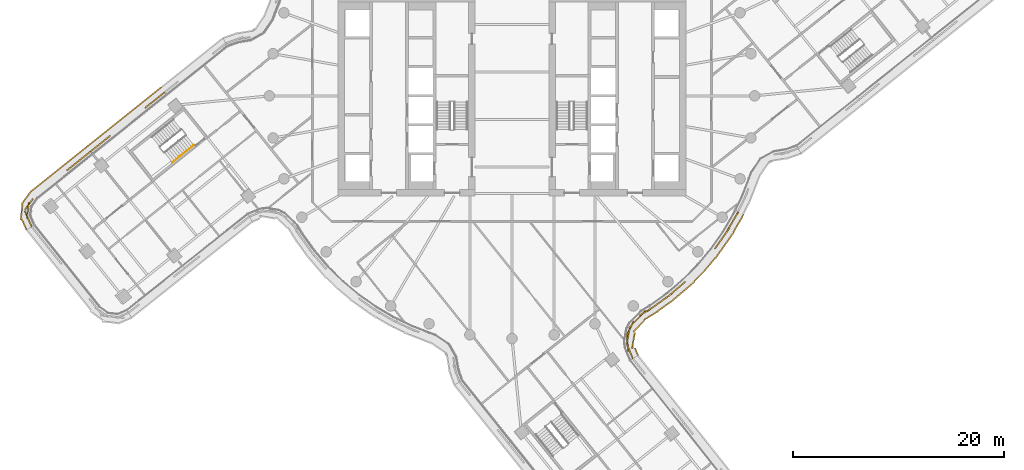
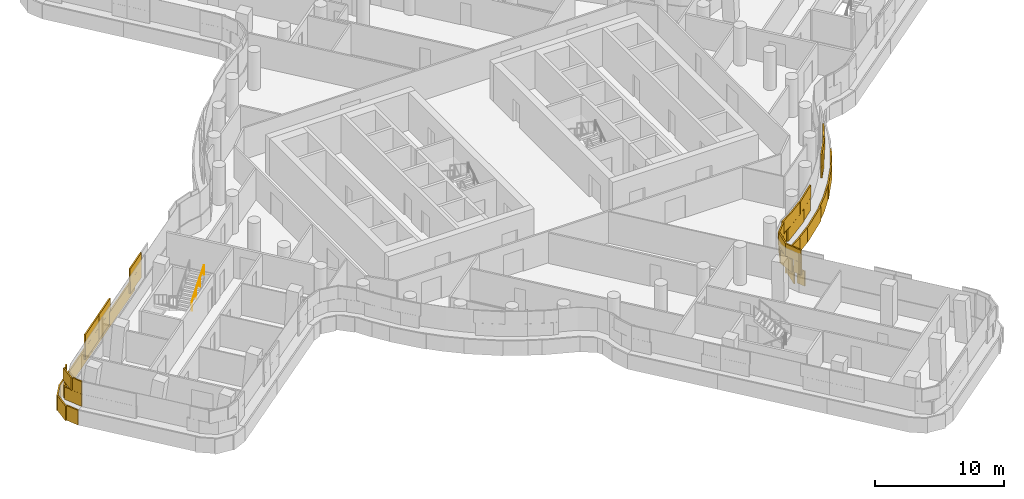
# One storey, part 27 of 31: 3 coverings, 1 railing.
"""IFC4 building model written with IfcOpenShell, lengths in metres."""

from ifc_helpers import new_model, si_unit, direction, frame, origin, origin_2d, place, context, subcontext, project, spatial, rectangle, circle, extrude, material, layer, layer_set, type_object, element, save


model = new_model("IFC4")

# Units and contexts
model_context = context("Model", 3, precision=1e-05, world=origin(), true_north=direction((0.0, 1.0)))
body_context = subcontext(model_context, "Body", "Model", "MODEL_VIEW")
ifc_project = project(units=[si_unit("LENGTHUNIT", "METRE"), si_unit("AREAUNIT", "SQUARE_METRE"), si_unit("VOLUMEUNIT", "CUBIC_METRE"), si_unit("PLANEANGLEUNIT", "RADIAN"), si_unit("MASSUNIT", "GRAM", prefix="KILO")], contexts=[model_context])

# Site, building, storey
site_placement = place(None, origin())
site = spatial("IfcSite", under=ifc_project, at=site_placement, CompositionType="ELEMENT")
building_placement = place(site_placement, origin())
building = spatial("IfcBuilding", under=site, at=building_placement, Name="Tamarind Cross Interchange Tower", CompositionType="ELEMENT")
storey_placement = place(building_placement, frame((0.0, 0.0, 174.25)))
storey = spatial("IfcBuildingStorey", under=building, at=storey_placement, Name="L43", CompositionType="ELEMENT", Elevation=174.25)

# Railing
ifc_material_1 = material(Name="Stair handrail")
railing_type = type_object("IfcRailingType", Name="Stair handrail", PredefinedType="HANDRAIL", material=ifc_material_1)
railing_placement = place(storey_placement, frame((-32.198486328125, -6.30126953125, 2.04541015625)))
element("IfcRailing", 1, at=railing_placement, inside=storey, type_object=railing_type, Name="L43 ST5 stair handrail 2", PredefinedType="HANDRAIL", context=body_context, shape_type="SweptSolid", body=[
    extrude(circle(Radius=0.02392578125, at=origin_2d()), frame((0.0, 0.0, 0.8759765625), z_axis=(0.65307602311, 0.522413704671, 0.548247780853), x_axis=(-0.624660696371, 0.780896289151, 0.0)), (0.0, 0.0, 1.0), 3.109130859375),
    extrude(circle(Radius=0.02099609375, at=origin_2d()), origin(), (0.0, 0.0, 1.0), 0.851806640625),
    extrude(circle(Radius=0.02099609375, at=origin_2d()), frame((0.6767578125, 0.54150390625, 0.568115234375)), (0.0, 0.0, 1.0), 0.851806640625),
    extrude(circle(Radius=0.02099609375, at=origin_2d()), frame((1.353759765625, 1.082763671875, 1.136474609375)), (0.0, 0.0, 1.0), 0.851806640625),
    extrude(circle(Radius=0.02099609375, at=origin_2d()), frame((2.030517578125, 1.624267578125, 1.70458984375)), (0.0, 0.0, 1.0), 0.851806640625),
])

# Coverings
ifc_material_2 = material(Name="Terracotta", Category="masonry")
ifc_layer = layer(ifc_material_2, 0.1201171875)
ifc_layer_set = layer_set([ifc_layer], Name="Terracotta")
covering_type = type_object("IfcCoveringType", Name="Terracotta baguette screen unit", PredefinedType="MOLDING", material=ifc_layer_set)
covering_1_placement = place(storey_placement, origin())
element("IfcCovering", 2, at=covering_1_placement, inside=storey, type_object=covering_type, Name="SCR-L43-06-00", PredefinedType="MOLDING", context=body_context, shape_type="SweptSolid", body=[
    extrude(rectangle(XDim=0.760009765625, YDim=0.1201171875, at=origin_2d()), frame((11.306640625, -24.551513671875, 1.404052734375), z_axis=(0.0, 0.0, 1.0), x_axis=(-0.380202807979, 0.924903143472, 0.0)), (0.0, 0.0, 1.0), 1.1669921875),
    extrude(rectangle(XDim=1.52001953125, YDim=0.1201171875, at=origin_2d()), frame((10.953125, -23.4921875, 1.404052734375), z_axis=(0.0, 0.0, 1.0), x_axis=(-0.105134074673, 0.994458056603, 0.0)), (0.0, 0.0, 1.0), 1.1669921875),
    extrude(rectangle(XDim=1.52001953125, YDim=0.1201171875, at=origin_2d()), frame((11.19140625, -22.028076171875, 1.404052734375), z_axis=(0.0, 0.0, 1.0), x_axis=(0.447568959097, 0.894249420941, 0.0)), (0.0, 0.0, 1.0), 1.1669921875),
    extrude(rectangle(XDim=1.52001953125, YDim=0.1201171875, at=origin_2d()), frame((12.14892578125, -20.890625, 1.404052734375), z_axis=(0.0, 0.0, 1.0), x_axis=(0.699579033166, 0.714555229744, 0.0)), (0.0, 0.0, 1.0), 1.1669921875),
    extrude(rectangle(XDim=1.52001953125, YDim=0.1201171875, at=origin_2d()), frame((13.3671875, -20.0302734375, 1.404052734375), z_axis=(0.0, 0.0, 1.0), x_axis=(0.811340475102, 0.584573890505, 0.0)), (0.0, 0.0, 1.0), 1.1669921875),
    extrude(rectangle(XDim=1.52001953125, YDim=0.1201171875, at=origin_2d()), frame((14.584228515625, -19.1533203125, 1.404052734375), z_axis=(0.0, 0.0, 1.0), x_axis=(0.811340475102, 0.584573890505, 0.0)), (0.0, 0.0, 1.0), 1.1669921875),
    extrude(rectangle(XDim=1.52001953125, YDim=0.1201171875, at=origin_2d()), frame((15.742919921875, -18.202392578125, 1.404052734375), z_axis=(0.0, 0.0, 1.0), x_axis=(0.760295606781, 0.64957723968, 0.0)), (0.0, 0.0, 1.0), 1.1669921875),
    extrude(rectangle(XDim=1.52001953125, YDim=0.1201171875, at=origin_2d()), frame((19.745849609375, -13.758056640625, 1.404052734375), z_axis=(0.0, 0.0, 1.0), x_axis=(0.577568978284, 0.816341886298, 0.0)), (0.0, 0.0, 1.0), 1.1669921875),
    extrude(rectangle(XDim=1.52001953125, YDim=0.1201171875, at=origin_2d()), frame((20.565185546875, -12.5029296875, 1.404052734375), z_axis=(0.0, 0.0, 1.0), x_axis=(0.508183308752, 0.861248933065, 0.0)), (0.0, 0.0, 1.0), 1.1669921875),
    extrude(rectangle(XDim=1.003173828125, YDim=0.1201171875, at=origin_2d()), frame((21.198486328125, -11.429443359375, 1.404052734375), z_axis=(0.0, 0.0, 1.0), x_axis=(0.508183308752, 0.861248933065, 0.0)), (0.0, 0.0, 1.0), 1.1669921875),
    extrude(rectangle(XDim=1.510009765625, YDim=0.1201171875, at=origin_2d()), frame((11.1640625, -24.204833984375, 2.5791015625), z_axis=(0.0, 0.0, 1.0), x_axis=(-0.380202807979, 0.924903143472, 0.0)), (0.0, 0.0, 1.0), 1.1669921875),
    extrude(rectangle(XDim=1.52001953125, YDim=0.1201171875, at=origin_2d()), frame((11.0146484375, -22.751708984375, 2.5791015625), z_axis=(0.0, 0.0, 1.0), x_axis=(0.178398024605, 0.98395840604, 0.0)), (0.0, 0.0, 1.0), 1.1669921875),
    extrude(rectangle(XDim=1.52001953125, YDim=0.1201171875, at=origin_2d()), frame((11.624267578125, -21.4267578125, 2.5791015625), z_axis=(0.0, 0.0, 1.0), x_axis=(0.699579033166, 0.714555229744, 0.0)), (0.0, 0.0, 1.0), 1.1669921875),
    extrude(rectangle(XDim=1.52001953125, YDim=0.1201171875, at=origin_2d()), frame((12.73193359375, -20.42822265625, 2.5791015625), z_axis=(0.0, 0.0, 1.0), x_axis=(0.854662661757, 0.519183719505, 0.0)), (0.0, 0.0, 1.0), 1.1669921875),
    extrude(rectangle(XDim=1.52001953125, YDim=0.1201171875, at=origin_2d()), frame((13.9755859375, -19.591796875, 2.5791015625), z_axis=(0.0, 0.0, 1.0), x_axis=(0.811340475102, 0.584573890505, 0.0)), (0.0, 0.0, 1.0), 1.1669921875),
    extrude(rectangle(XDim=1.52001953125, YDim=0.1201171875, at=origin_2d()), frame((15.1728515625, -18.689453125, 2.5791015625), z_axis=(0.0, 0.0, 1.0), x_axis=(0.760295606781, 0.64957723968, 0.0)), (0.0, 0.0, 1.0), 1.1669921875),
    extrude(rectangle(XDim=0.902587890625, YDim=0.1201171875, at=origin_2d()), frame((16.082275390625, -17.912353515625, 2.5791015625), z_axis=(0.0, 0.0, 1.0), x_axis=(0.760295606781, 0.64957723968, 0.0)), (0.0, 0.0, 1.0), 1.1669921875),
    extrude(rectangle(XDim=0.917236328125, YDim=0.1201171875, at=origin_2d()), frame((19.483642578125, -14.128173828125, 2.5791015625), z_axis=(0.0, 0.0, 1.0), x_axis=(0.577568978284, 0.816341886298, 0.0)), (0.0, 0.0, 1.0), 1.1669921875),
    extrude(rectangle(XDim=1.52001953125, YDim=0.1201171875, at=origin_2d()), frame((20.178955078125, -13.145751953125, 2.5791015625), z_axis=(0.0, 0.0, 1.0), x_axis=(0.577568978284, 0.816341886298, 0.0)), (0.0, 0.0, 1.0), 1.1669921875),
    extrude(rectangle(XDim=1.52001953125, YDim=0.1201171875, at=origin_2d()), frame((20.9462890625, -11.85693359375, 2.5791015625), z_axis=(0.0, 0.0, 1.0), x_axis=(0.508183308752, 0.861248933065, 0.0)), (0.0, 0.0, 1.0), 1.1669921875),
    extrude(rectangle(XDim=0.253173828125, YDim=0.1201171875, at=origin_2d()), frame((21.36669921875, -11.094482421875, 2.5791015625), z_axis=(0.0, 0.0, 1.0), x_axis=(0.435326231914, 0.900272776334, 0.0)), (0.0, 0.0, 1.0), 1.1669921875),
    extrude(rectangle(XDim=0.760009765625, YDim=0.1201171875, at=origin_2d()), frame((11.8046875, -24.25341796875, 0.00390625), z_axis=(0.0, 0.0, 1.0), x_axis=(-0.380202807979, 0.924903143472, 0.0)), (0.0, 0.0, 1.0), 1.39208984375),
    extrude(rectangle(XDim=1.52001953125, YDim=0.1201171875, at=origin_2d()), frame((11.518798828125, -23.18798828125, 0.00390625), z_axis=(0.0, 0.0, 1.0), x_axis=(0.178398024605, 0.98395840604, 0.0)), (0.0, 0.0, 1.0), 1.39208984375),
    extrude(rectangle(XDim=1.52001953125, YDim=0.1201171875, at=origin_2d()), frame((12.037841796875, -21.82470703125, 0.00390625), z_axis=(0.0, 0.0, 1.0), x_axis=(0.699579033166, 0.714555229744, 0.0)), (0.0, 0.0, 1.0), 1.39208984375),
    extrude(rectangle(XDim=1.52001953125, YDim=0.1201171875, at=origin_2d()), frame((13.157470703125, -20.84130859375, 0.00390625), z_axis=(0.0, 0.0, 1.0), x_axis=(0.854662661757, 0.519183719505, 0.0)), (0.0, 0.0, 1.0), 1.39208984375),
    extrude(rectangle(XDim=1.52001953125, YDim=0.1201171875, at=origin_2d()), frame((14.395751953125, -19.99658203125, 0.00390625), z_axis=(0.0, 0.0, 1.0), x_axis=(0.811340475102, 0.584573890505, 0.0)), (0.0, 0.0, 1.0), 1.39208984375),
    extrude(rectangle(XDim=1.52001953125, YDim=0.1201171875, at=origin_2d()), frame((15.588623046875, -19.089111328125, 0.00390625), z_axis=(0.0, 0.0, 1.0), x_axis=(0.760295606781, 0.64957723968, 0.0)), (0.0, 0.0, 1.0), 1.39208984375),
    extrude(rectangle(XDim=1.52001953125, YDim=0.1201171875, at=origin_2d()), frame((16.72900390625, -18.11474609375, 0.00390625), z_axis=(0.0, 0.0, 1.0), x_axis=(0.760295606781, 0.64957723968, 0.0)), (0.0, 0.0, 1.0), 1.39208984375),
    extrude(rectangle(XDim=1.52001953125, YDim=0.1201171875, at=origin_2d()), frame((17.7890625, -17.0537109375, 0.00390625), z_axis=(0.0, 0.0, 1.0), x_axis=(0.704057148523, 0.710143317658, 0.0)), (0.0, 0.0, 1.0), 1.39208984375),
    extrude(rectangle(XDim=1.52001953125, YDim=0.1201171875, at=origin_2d()), frame((18.79052734375, -15.9384765625, 0.00390625), z_axis=(0.0, 0.0, 1.0), x_axis=(0.643009266048, 0.765858396687, 0.0)), (0.0, 0.0, 1.0), 1.39208984375),
    extrude(rectangle(XDim=1.52001953125, YDim=0.1201171875, at=origin_2d()), frame((19.731689453125, -14.771728515625, 0.00390625), z_axis=(0.0, 0.0, 1.0), x_axis=(0.577568978284, 0.816341886298, 0.0)), (0.0, 0.0, 1.0), 1.39208984375),
    extrude(rectangle(XDim=1.52001953125, YDim=0.1201171875, at=origin_2d()), frame((20.597900390625, -13.54736328125, 0.00390625), z_axis=(0.0, 0.0, 1.0), x_axis=(0.577568978284, 0.816341886298, 0.0)), (0.0, 0.0, 1.0), 1.39208984375),
    extrude(rectangle(XDim=1.52001953125, YDim=0.1201171875, at=origin_2d()), frame((21.372802734375, -12.263671875, 0.00390625), z_axis=(0.0, 0.0, 1.0), x_axis=(0.508183308752, 0.861248933065, 0.0)), (0.0, 0.0, 1.0), 1.39208984375),
    extrude(rectangle(XDim=0.420166015625, YDim=0.1201171875, at=origin_2d()), frame((21.8388671875, -11.436279296875, 0.00390625), z_axis=(0.0, 0.0, 1.0), x_axis=(0.435326231914, 0.900272776334, 0.0)), (0.0, 0.0, 1.0), 1.39208984375),
])
covering_2_placement = place(storey_placement, origin())
element("IfcCovering", 3, at=covering_2_placement, inside=storey, type_object=covering_type, Name="SCR-L43-15-01", PredefinedType="MOLDING", context=body_context, shape_type="SweptSolid", body=[
    extrude(rectangle(XDim=0.859130859375, YDim=0.1201171875, at=origin_2d()), frame((-33.23681640625, 0.090576171875, 1.404052734375), z_axis=(0.0, 0.0, 1.0), x_axis=(-0.780892885425, -0.624664951388, 0.0)), (0.0, 0.0, 1.0), 1.1669921875),
    extrude(rectangle(XDim=1.52001953125, YDim=0.1201171875, at=origin_2d()), frame((-34.154052734375, -0.64306640625, 1.404052734375), z_axis=(0.0, 0.0, 1.0), x_axis=(-0.780892885425, -0.624664951388, 0.0)), (0.0, 0.0, 1.0), 1.1669921875),
    extrude(rectangle(XDim=1.52001953125, YDim=0.1201171875, at=origin_2d()), frame((-38.83935546875, -4.39111328125, 1.404052734375), z_axis=(0.0, 0.0, 1.0), x_axis=(-0.780892885425, -0.624664951388, 0.0)), (0.0, 0.0, 1.0), 1.1669921875),
    extrude(rectangle(XDim=0.67138671875, YDim=0.1201171875, at=origin_2d()), frame((-39.683349609375, -5.066162109375, 1.404052734375), z_axis=(0.0, 0.0, 1.0), x_axis=(-0.780892885425, -0.624664951388, 0.0)), (0.0, 0.0, 1.0), 1.1669921875),
    extrude(rectangle(XDim=0.109130859375, YDim=0.1201171875, at=origin_2d()), frame((-32.94384765625, 0.324951171875, 2.5791015625), z_axis=(0.0, 0.0, 1.0), x_axis=(-0.780892885425, -0.624664951388, 0.0)), (0.0, 0.0, 1.0), 1.1669921875),
    extrude(rectangle(XDim=1.52001953125, YDim=0.1201171875, at=origin_2d()), frame((-33.568359375, -0.174560546875, 2.5791015625), z_axis=(0.0, 0.0, 1.0), x_axis=(-0.780892885425, -0.624664951388, 0.0)), (0.0, 0.0, 1.0), 1.1669921875),
    extrude(rectangle(XDim=0.81591796875, YDim=0.1201171875, at=origin_2d()), frame((-34.46875, -0.894775390625, 2.5791015625), z_axis=(0.0, 0.0, 1.0), x_axis=(-0.780892885425, -0.624664951388, 0.0)), (0.0, 0.0, 1.0), 1.1669921875),
    extrude(rectangle(XDim=1.00390625, YDim=0.1201171875, at=origin_2d()), frame((-38.451416015625, -4.08056640625, 2.5791015625), z_axis=(0.0, 0.0, 1.0), x_axis=(-0.780892885425, -0.624664951388, 0.0)), (0.0, 0.0, 1.0), 1.1669921875),
    extrude(rectangle(XDim=1.42138671875, YDim=0.1201171875, at=origin_2d()), frame((-39.390380859375, -4.831787109375, 2.5791015625), z_axis=(0.0, 0.0, 1.0), x_axis=(-0.780892885425, -0.624664951388, 0.0)), (0.0, 0.0, 1.0), 1.1669921875),
    extrude(rectangle(XDim=0.80419921875, YDim=0.1201171875, at=origin_2d()), frame((-33.545166015625, 0.5791015625, 0.00390625), z_axis=(0.0, 0.0, 1.0), x_axis=(-0.780892885425, -0.624664951388, 0.0)), (0.0, 0.0, 1.0), 1.39208984375),
    extrude(rectangle(XDim=1.52001953125, YDim=0.1201171875, at=origin_2d()), frame((-34.436767578125, -0.13427734375, 0.00390625), z_axis=(0.0, 0.0, 1.0), x_axis=(-0.780892885425, -0.624664951388, 0.0)), (0.0, 0.0, 1.0), 1.39208984375),
    extrude(rectangle(XDim=1.52001953125, YDim=0.1201171875, at=origin_2d()), frame((-35.608154296875, -1.0712890625, 0.00390625), z_axis=(0.0, 0.0, 1.0), x_axis=(-0.780892885425, -0.624664951388, 0.0)), (0.0, 0.0, 1.0), 1.39208984375),
    extrude(rectangle(XDim=1.52001953125, YDim=0.1201171875, at=origin_2d()), frame((-36.779541015625, -2.00830078125, 0.00390625), z_axis=(0.0, 0.0, 1.0), x_axis=(-0.780892885425, -0.624664951388, 0.0)), (0.0, 0.0, 1.0), 1.39208984375),
    extrude(rectangle(XDim=1.52001953125, YDim=0.1201171875, at=origin_2d()), frame((-37.950927734375, -2.9453125, 0.00390625), z_axis=(0.0, 0.0, 1.0), x_axis=(-0.780892885425, -0.624664951388, 0.0)), (0.0, 0.0, 1.0), 1.39208984375),
    extrude(rectangle(XDim=1.52001953125, YDim=0.1201171875, at=origin_2d()), frame((-39.122314453125, -3.88232421875, 0.00390625), z_axis=(0.0, 0.0, 1.0), x_axis=(-0.780892885425, -0.624664951388, 0.0)), (0.0, 0.0, 1.0), 1.39208984375),
    extrude(rectangle(XDim=0.79345703125, YDim=0.1201171875, at=origin_2d()), frame((-40.010009765625, -4.592529296875, 0.00390625), z_axis=(0.0, 0.0, 1.0), x_axis=(-0.780892885425, -0.624664951388, 0.0)), (0.0, 0.0, 1.0), 1.39208984375),
])
covering_3_placement = place(storey_placement, origin())
element("IfcCovering", 4, at=covering_3_placement, inside=storey, type_object=covering_type, Name="SCR-L43-15-02", PredefinedType="MOLDING", context=body_context, shape_type="SweptSolid", body=[
    extrude(rectangle(XDim=0.8486328125, YDim=0.1201171875, at=origin_2d()), frame((-40.26904296875, -5.53466796875, 1.404052734375), z_axis=(0.0, 0.0, 1.0), x_axis=(-0.780892885425, -0.624664951388, 0.0)), (0.0, 0.0, 1.0), 1.1669921875),
    extrude(rectangle(XDim=1.52001953125, YDim=0.1201171875, at=origin_2d()), frame((-41.18212890625, -6.26513671875, 1.404052734375), z_axis=(0.0, 0.0, 1.0), x_axis=(-0.780892885425, -0.624664951388, 0.0)), (0.0, 0.0, 1.0), 1.1669921875),
    extrude(rectangle(XDim=0.554931640625, YDim=0.1201171875, at=origin_2d()), frame((-41.98046875, -6.90380859375, 1.404052734375), z_axis=(0.0, 0.0, 1.0), x_axis=(-0.780892885425, -0.624664951388, 0.0)), (0.0, 0.0, 1.0), 1.1669921875),
    extrude(rectangle(XDim=1.26513671875, YDim=0.1201171875, at=origin_2d()), frame((-45.7802734375, -10.264892578125, 1.404052734375), z_axis=(0.0, 0.0, 1.0), x_axis=(-0.59260941937, -0.805489960256, 0.0)), (0.0, 0.0, 1.0), 1.1669921875),
    extrude(rectangle(XDim=1.52001953125, YDim=0.1201171875, at=origin_2d()), frame((-45.882568359375, -11.60009765625, 1.404052734375), z_axis=(0.0, 0.0, 1.0), x_axis=(0.40127005839, -0.915959791825, 0.0)), (0.0, 0.0, 1.0), 1.1669921875),
    extrude(rectangle(XDim=0.138427734375, YDim=0.1201171875, at=origin_2d()), frame((-45.555908203125, -12.345703125, 1.404052734375), z_axis=(0.0, 0.0, 1.0), x_axis=(0.40127005839, -0.915959791825, 0.0)), (0.0, 0.0, 1.0), 1.1669921875),
    extrude(rectangle(XDim=0.0986328125, YDim=0.1201171875, at=origin_2d()), frame((-39.97607421875, -5.30029296875, 2.5791015625), z_axis=(0.0, 0.0, 1.0), x_axis=(-0.780892885425, -0.624664951388, 0.0)), (0.0, 0.0, 1.0), 1.1669921875),
    extrude(rectangle(XDim=1.52001953125, YDim=0.1201171875, at=origin_2d()), frame((-40.596435546875, -5.796630859375, 2.5791015625), z_axis=(0.0, 0.0, 1.0), x_axis=(-0.780892885425, -0.624664951388, 0.0)), (0.0, 0.0, 1.0), 1.1669921875),
    extrude(rectangle(XDim=1.304931640625, YDim=0.1201171875, at=origin_2d()), frame((-41.687744140625, -6.66943359375, 2.5791015625), z_axis=(0.0, 0.0, 1.0), x_axis=(-0.780892885425, -0.624664951388, 0.0)), (0.0, 0.0, 1.0), 1.1669921875),
    extrude(rectangle(XDim=0.51513671875, YDim=0.1201171875, at=origin_2d()), frame((-45.55810546875, -9.962890625, 2.5791015625), z_axis=(0.0, 0.0, 1.0), x_axis=(-0.59260941937, -0.805489960256, 0.0)), (0.0, 0.0, 1.0), 1.1669921875),
    extrude(rectangle(XDim=1.52001953125, YDim=0.1201171875, at=origin_2d()), frame((-45.8984375, -10.86962890625, 2.5791015625), z_axis=(0.0, 0.0, 1.0), x_axis=(-0.110469831569, -0.99387947776, 0.0)), (0.0, 0.0, 1.0), 1.1669921875),
    extrude(rectangle(XDim=0.888427734375, YDim=0.1201171875, at=origin_2d()), frame((-45.70654296875, -12.002197265625, 2.5791015625), z_axis=(0.0, 0.0, 1.0), x_axis=(0.40127005839, -0.915959791825, 0.0)), (0.0, 0.0, 1.0), 1.1669921875),
    extrude(rectangle(XDim=0.726318359375, YDim=0.1201171875, at=origin_2d()), frame((-40.603515625, -5.067138671875, 0.00390625), z_axis=(0.0, 0.0, 1.0), x_axis=(-0.780892885425, -0.624664951388, 0.0)), (0.0, 0.0, 1.0), 1.39208984375),
    extrude(rectangle(XDim=1.52001953125, YDim=0.1201171875, at=origin_2d()), frame((-41.46484375, -5.75634765625, 0.00390625), z_axis=(0.0, 0.0, 1.0), x_axis=(-0.780892885425, -0.624664951388, 0.0)), (0.0, 0.0, 1.0), 1.39208984375),
    extrude(rectangle(XDim=1.52001953125, YDim=0.1201171875, at=origin_2d()), frame((-42.63623046875, -6.693359375, 0.00390625), z_axis=(0.0, 0.0, 1.0), x_axis=(-0.780892885425, -0.624664951388, 0.0)), (0.0, 0.0, 1.0), 1.39208984375),
    extrude(rectangle(XDim=1.52001953125, YDim=0.1201171875, at=origin_2d()), frame((-43.8076171875, -7.63037109375, 0.00390625), z_axis=(0.0, 0.0, 1.0), x_axis=(-0.780892885425, -0.624664951388, 0.0)), (0.0, 0.0, 1.0), 1.39208984375),
    extrude(rectangle(XDim=1.52001953125, YDim=0.1201171875, at=origin_2d()), frame((-44.97900390625, -8.5673828125, 0.00390625), z_axis=(0.0, 0.0, 1.0), x_axis=(-0.780892885425, -0.624664951388, 0.0)), (0.0, 0.0, 1.0), 1.39208984375),
    extrude(rectangle(XDim=1.52001953125, YDim=0.1201171875, at=origin_2d()), frame((-46.023193359375, -9.62646484375, 0.00390625), z_axis=(0.0, 0.0, 1.0), x_axis=(-0.59260941937, -0.805489960256, 0.0)), (0.0, 0.0, 1.0), 1.39208984375),
    extrude(rectangle(XDim=1.52001953125, YDim=0.1201171875, at=origin_2d()), frame((-46.490478515625, -10.999267578125, 0.00390625), z_axis=(0.0, 0.0, 1.0), x_axis=(-0.110469831569, -0.99387947776, 0.0)), (0.0, 0.0, 1.0), 1.39208984375),
    extrude(rectangle(XDim=1.0771484375, YDim=0.1201171875, at=origin_2d()), frame((-46.24169921875, -12.210693359375, 0.00390625), z_axis=(0.0, 0.0, 1.0), x_axis=(0.40127005839, -0.915959791825, 0.0)), (0.0, 0.0, 1.0), 1.39208984375),
])

save(model, "model.ifc")
